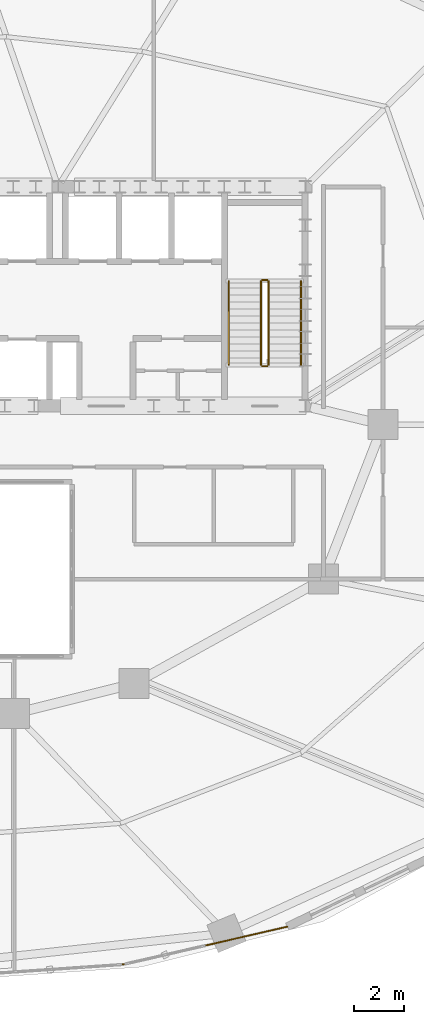
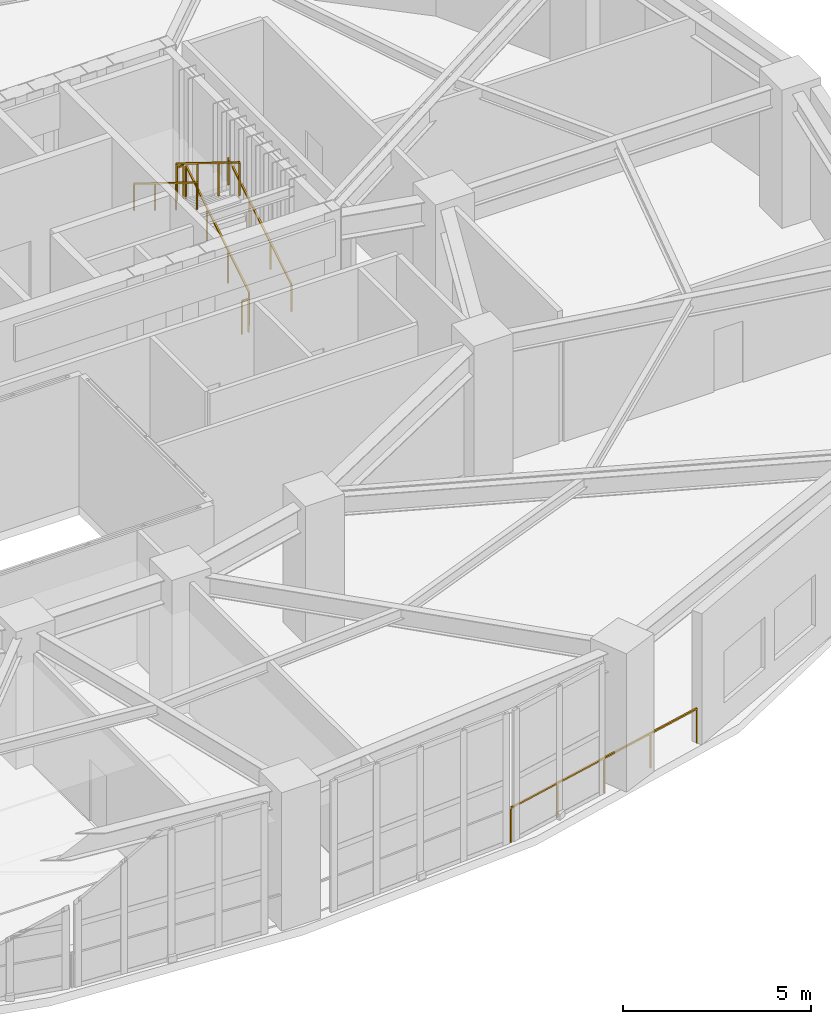
# One storey, part 14 of 15: 7 railings.
"""IFC4 building model written with IfcOpenShell, lengths in metres."""

from ifc_helpers import new_model, si_unit, direction, frame, origin, origin_2d, place, context, subcontext, project, spatial, rectangle, extrude, material, type_object, element, save


model = new_model("IFC4")

# Units and contexts
model_context = context("Model", 3, precision=1e-05, world=origin(), true_north=direction((0.0, 1.0)))
body_context = subcontext(model_context, "Body", "Model", "MODEL_VIEW")
ifc_project = project(units=[si_unit("LENGTHUNIT", "METRE"), si_unit("AREAUNIT", "SQUARE_METRE"), si_unit("VOLUMEUNIT", "CUBIC_METRE"), si_unit("PLANEANGLEUNIT", "RADIAN"), si_unit("MASSUNIT", "GRAM", prefix="KILO")], contexts=[model_context])

# Site, building, storey
site_placement = place(None, origin())
site = spatial("IfcSite", under=ifc_project, at=site_placement, CompositionType="ELEMENT")
building_placement = place(site_placement, origin())
building = spatial("IfcBuilding", under=site, at=building_placement, Name="Haldorwick Loom Tower", CompositionType="ELEMENT")
storey_placement = place(building_placement, frame((0.0, 0.0, 105.949951171875)))
storey = spatial("IfcBuildingStorey", under=building, at=storey_placement, Name="L28", CompositionType="ELEMENT", Elevation=105.949951171875)

# Railings
ifc_material_1 = material(Name="Galvanized Steel CSA G40.21 350W", Category="steel")
railing_type_1 = type_object("IfcRailingType", Name="ARC-RLG-BAL115", PredefinedType="BALUSTRADE", material=ifc_material_1)
railing_1_placement = place(storey_placement, frame((42.757080078125, 4.325439453125, 0.0)))
element("IfcRailing", 1, at=railing_1_placement, inside=storey, type_object=railing_type_1, Name="L28 Curtain-Wall Sill Safety Guardrail 20", PredefinedType="BALUSTRADE", context=body_context, shape_type="SweptSolid", body=[
    extrude(rectangle(XDim=0.048095703125, YDim=0.048095703125, at=origin_2d()), frame((0.0, 0.0, 1.1259765625), z_axis=(0.974584177714, 0.224021607329, 0.0), x_axis=(-0.224021607329, 0.974584177714, 0.0)), (0.0, 0.0, 1.0), 6.767822265625),
    extrude(rectangle(XDim=0.0419921875, YDim=0.0419921875, at=origin_2d()), origin(), (0.0, 0.0, 1.0), 1.101806640625),
    extrude(rectangle(XDim=0.0419921875, YDim=0.0419921875, at=origin_2d()), frame((1.64892578125, 0.37890625, 0.0)), (0.0, 0.0, 1.0), 1.101806640625),
    extrude(rectangle(XDim=0.0419921875, YDim=0.0419921875, at=origin_2d()), frame((3.2978515625, 0.758056640625, 0.0)), (0.0, 0.0, 1.0), 1.101806640625),
    extrude(rectangle(XDim=0.0419921875, YDim=0.0419921875, at=origin_2d()), frame((4.94677734375, 1.13720703125, 0.0)), (0.0, 0.0, 1.0), 1.101806640625),
    extrude(rectangle(XDim=0.0419921875, YDim=0.0419921875, at=origin_2d()), frame((6.595703125, 1.51611328125, 0.0)), (0.0, 0.0, 1.0), 1.101806640625),
])
ifc_material_2 = material(Name="Steel CSA G40.21 350W", Category="steel")
railing_type_2 = type_object("IfcRailingType", Name="ARC-RLG-GUARD112", PredefinedType="GUARDRAIL", material=ifc_material_2)
railing_2_placement = place(storey_placement, frame((48.60009765625, 28.39990234375, 0.173095703125)))
element("IfcRailing", 2, at=railing_2_placement, inside=storey, type_object=railing_type_2, Name="L28 ST-02 stair guard 1", PredefinedType="GUARDRAIL", context=body_context, shape_type="SweptSolid", body=[
    extrude(rectangle(XDim=0.048095703125, YDim=0.048095703125, at=origin_2d()), frame((0.0, 0.0, 1.076171875), z_axis=(0.0, 0.850623216509, 0.525775754039), x_axis=(-1.0, 0.0, 0.0)), (0.0, 0.0, 1.0), 3.9501953125),
    extrude(rectangle(XDim=0.0419921875, YDim=0.0419921875, at=origin_2d()), origin(), (0.0, 0.0, 1.0), 1.052001953125),
    extrude(rectangle(XDim=0.0419921875, YDim=0.0419921875, at=origin_2d()), frame((0.0, 1.1201171875, 0.6923828125)), (0.0, 0.0, 1.0), 1.052001953125),
    extrude(rectangle(XDim=0.0419921875, YDim=0.0419921875, at=origin_2d()), frame((0.0, 2.239990234375, 1.384521484375)), (0.0, 0.0, 1.0), 1.052001953125),
    extrude(rectangle(XDim=0.0419921875, YDim=0.0419921875, at=origin_2d()), frame((0.0, 3.360107421875, 2.076904296875)), (0.0, 0.0, 1.0), 1.052001953125),
])
railing_3_placement = place(storey_placement, frame((48.550048828125, 31.81005859375, 2.25)))
element("IfcRailing", 3, at=railing_3_placement, inside=storey, type_object=railing_type_2, Name="L28 ST-02 stair guard 2", PredefinedType="GUARDRAIL", context=body_context, shape_type="SweptSolid", body=[
    extrude(rectangle(XDim=0.048095703125, YDim=0.048095703125, at=origin_2d()), frame((0.0, 0.0, 1.076171875), z_axis=(-1.0, 0.0, 0.0), x_axis=(0.0, -1.0, 0.0)), (0.0, 0.0, 1.0), 0.199951171875),
    extrude(rectangle(XDim=0.0419921875, YDim=0.0419921875, at=origin_2d()), origin(), (0.0, 0.0, 1.0), 1.052001953125),
    extrude(rectangle(XDim=0.0419921875, YDim=0.0419921875, at=origin_2d()), frame((-0.199951171875, 0.0, 0.0)), (0.0, 0.0, 1.0), 1.052001953125),
])
railing_4_placement = place(storey_placement, frame((48.300048828125, 31.760009765625, 2.423095703125)))
element("IfcRailing", 4, at=railing_4_placement, inside=storey, type_object=railing_type_2, Name="L28 ST-02 stair guard 3", PredefinedType="GUARDRAIL", context=body_context, shape_type="SweptSolid", body=[
    extrude(rectangle(XDim=0.048095703125, YDim=0.048095703125, at=origin_2d()), frame((0.0, 0.0, 1.076171875), z_axis=(0.0, -0.850623216509, 0.525775754039), x_axis=(1.0, 0.0, 0.0)), (0.0, 0.0, 1.0), 3.9501953125),
    extrude(rectangle(XDim=0.0419921875, YDim=0.0419921875, at=origin_2d()), origin(), (0.0, 0.0, 1.0), 1.052001953125),
    extrude(rectangle(XDim=0.0419921875, YDim=0.0419921875, at=origin_2d()), frame((0.0, -1.1201171875, 0.6923828125)), (0.0, 0.0, 1.0), 1.052001953125),
    extrude(rectangle(XDim=0.0419921875, YDim=0.0419921875, at=origin_2d()), frame((0.0, -2.239990234375, 1.384521484375)), (0.0, 0.0, 1.0), 1.052001953125),
    extrude(rectangle(XDim=0.0419921875, YDim=0.0419921875, at=origin_2d()), frame((0.0, -3.360107421875, 2.076904296875)), (0.0, 0.0, 1.0), 1.052001953125),
])
railing_5_placement = place(storey_placement, frame((48.550048828125, 28.35009765625, 0.0)))
element("IfcRailing", 5, at=railing_5_placement, inside=storey, type_object=railing_type_2, Name="L28 ST-02 stair guard 4", PredefinedType="GUARDRAIL", context=body_context, shape_type="SweptSolid", body=[
    extrude(rectangle(XDim=0.048095703125, YDim=0.048095703125, at=origin_2d()), frame((0.0, 0.0, 1.076171875), z_axis=(-1.0, 0.0, 0.0), x_axis=(0.0, -1.0, 0.0)), (0.0, 0.0, 1.0), 0.199951171875),
    extrude(rectangle(XDim=0.0419921875, YDim=0.0419921875, at=origin_2d()), origin(), (0.0, 0.0, 1.0), 1.052001953125),
    extrude(rectangle(XDim=0.0419921875, YDim=0.0419921875, at=origin_2d()), frame((-0.199951171875, 0.0, 0.0)), (0.0, 0.0, 1.0), 1.052001953125),
])
railing_type_3 = type_object("IfcRailingType", Name="ARC-RLG-HAND092", PredefinedType="HANDRAIL", material=ifc_material_2)
railing_6_placement = place(storey_placement, frame((49.89990234375, 28.39990234375, 0.173095703125)))
element("IfcRailing", 6, at=railing_6_placement, inside=storey, type_object=railing_type_3, Name="L28 ST-02 stair handrail 1", PredefinedType="HANDRAIL", context=body_context, shape_type="SweptSolid", body=[
    extrude(rectangle(XDim=0.048095703125, YDim=0.048095703125, at=origin_2d()), frame((0.0, 0.0, 0.8759765625), z_axis=(0.0, 0.850623216509, 0.525775754039), x_axis=(-1.0, 0.0, 0.0)), (0.0, 0.0, 1.0), 3.9501953125),
    extrude(rectangle(XDim=0.0419921875, YDim=0.0419921875, at=origin_2d()), origin(), (0.0, 0.0, 1.0), 0.851806640625),
    extrude(rectangle(XDim=0.0419921875, YDim=0.0419921875, at=origin_2d()), frame((0.0, 1.1201171875, 0.6923828125)), (0.0, 0.0, 1.0), 0.851806640625),
    extrude(rectangle(XDim=0.0419921875, YDim=0.0419921875, at=origin_2d()), frame((0.0, 2.239990234375, 1.384521484375)), (0.0, 0.0, 1.0), 0.851806640625),
    extrude(rectangle(XDim=0.0419921875, YDim=0.0419921875, at=origin_2d()), frame((0.0, 3.360107421875, 2.076904296875)), (0.0, 0.0, 1.0), 0.851806640625),
])
railing_7_placement = place(storey_placement, frame((47.0, 31.760009765625, 2.423095703125)))
element("IfcRailing", 7, at=railing_7_placement, inside=storey, type_object=railing_type_3, Name="L28 ST-02 stair handrail 2", PredefinedType="HANDRAIL", context=body_context, shape_type="SweptSolid", body=[
    extrude(rectangle(XDim=0.048095703125, YDim=0.048095703125, at=origin_2d()), frame((0.0, 0.0, 0.8759765625), z_axis=(0.0, -0.850623216509, 0.525775754039), x_axis=(1.0, 0.0, 0.0)), (0.0, 0.0, 1.0), 3.9501953125),
    extrude(rectangle(XDim=0.0419921875, YDim=0.0419921875, at=origin_2d()), origin(), (0.0, 0.0, 1.0), 0.851806640625),
    extrude(rectangle(XDim=0.0419921875, YDim=0.0419921875, at=origin_2d()), frame((0.0, -1.1201171875, 0.6923828125)), (0.0, 0.0, 1.0), 0.851806640625),
    extrude(rectangle(XDim=0.0419921875, YDim=0.0419921875, at=origin_2d()), frame((0.0, -2.239990234375, 1.384521484375)), (0.0, 0.0, 1.0), 0.851806640625),
    extrude(rectangle(XDim=0.0419921875, YDim=0.0419921875, at=origin_2d()), frame((0.0, -3.360107421875, 2.076904296875)), (0.0, 0.0, 1.0), 0.851806640625),
])

save(model, "model.ifc")
